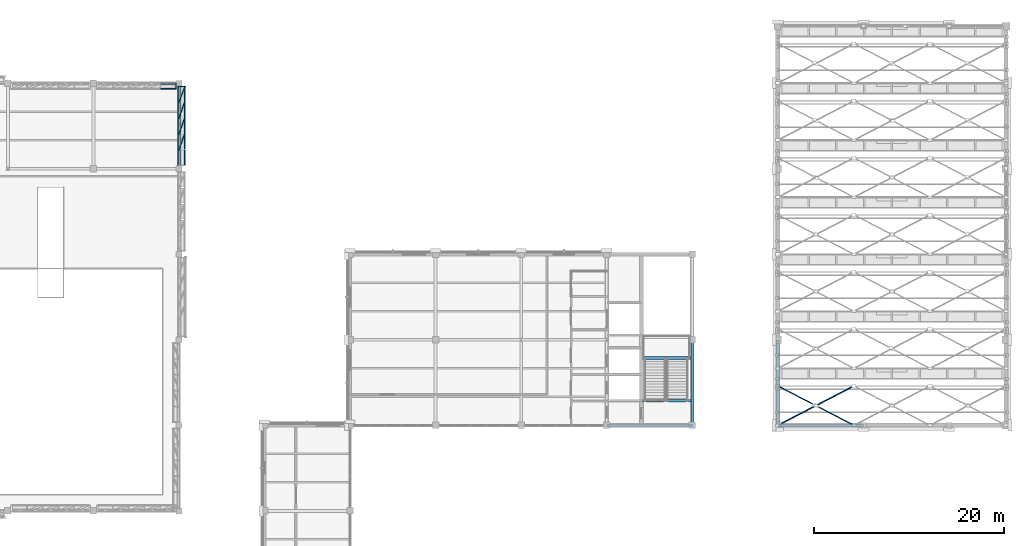
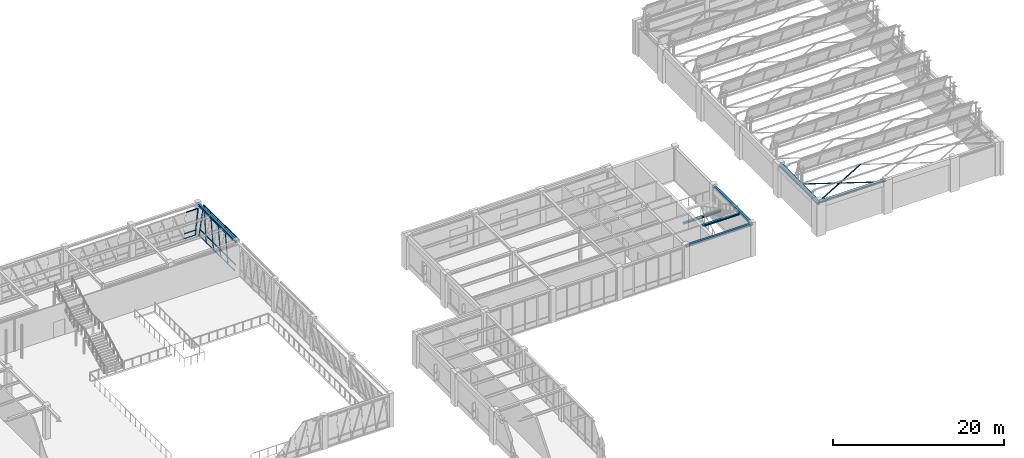
# One storey, part 49 of 98: 27 members, 7 beams, 2 elements without a shape of their own.
"""IFC4 building model written with IfcOpenShell, lengths in metres."""

from ifc_helpers import new_model, si_unit, direction, frame, origin, origin_2d, place, context, subcontext, project, spatial, hollow_rectangle, hollow_circle, i_section, extrude, material, material_profile, profile_set, type_object, element, aggregate, save


model = new_model("IFC4")

# Units and contexts
model_context = context("Model", 3, precision=1e-05, world=origin(), true_north=direction((0.0, 1.0)))
body_context = subcontext(model_context, "Body", "Model", "MODEL_VIEW")
ifc_project = project(units=[si_unit("LENGTHUNIT", "METRE"), si_unit("AREAUNIT", "SQUARE_METRE"), si_unit("VOLUMEUNIT", "CUBIC_METRE"), si_unit("PLANEANGLEUNIT", "RADIAN"), si_unit("MASSUNIT", "GRAM", prefix="KILO")], contexts=[model_context])

# Site, building, storey
site_placement = place(None, origin())
site = spatial("IfcSite", under=ifc_project, at=site_placement, CompositionType="ELEMENT")
building_placement = place(site_placement, origin())
building = spatial("IfcBuilding", under=site, at=building_placement, Name="Lykobir Media Centre", CompositionType="ELEMENT")
storey_placement = place(building_placement, frame((0.0, 0.0, 10.199951171875)))
storey = spatial("IfcBuildingStorey", under=building, at=storey_placement, Name="L02", CompositionType="ELEMENT", Elevation=10.199951171875)

# Beams
ifc_material_1 = material(Name="Steel S355", Category="steel")
ifc_material_profile_1 = material_profile(ifc_material_1, i_section(OverallWidth=0.300048828125, OverallDepth=0.330078125, WebThickness=0.009521484375, FlangeThickness=0.0166015625, at=origin_2d()), Name="HEA 340")
ifc_profile_set_1 = profile_set([ifc_material_profile_1], Name="Steel S355")
beam_type_1 = type_object("IfcBeamType", Name="BM-HEA340", PredefinedType="BEAM", material=ifc_profile_set_1)
beam_1_placement = place(storey_placement, frame((135.0, 72.0, 4.39501953125), z_axis=(0.0, 1.0, 0.0), x_axis=(-1.0, 0.0, 0.0)))
element("IfcBeam", 1, at=beam_1_placement, inside=storey, type_object=beam_type_1, Name="Beam BM-L02-1350-0720-1350-0810-1460", PredefinedType="BEAM", context=body_context, shape_type="SweptSolid", body=[
    extrude(i_section(OverallWidth=0.300048828125, OverallDepth=0.330078125, WebThickness=0.009521484375, FlangeThickness=0.0166015625, at=origin_2d()), origin(), (0.0, 0.0, 1.0), 9.0),
])
ifc_material_profile_2 = material_profile(ifc_material_1, i_section(OverallWidth=0.300048828125, OverallDepth=0.550048828125, WebThickness=0.014892578125, FlangeThickness=0.029052734375, at=origin_2d()), Name="HEB 550")
ifc_profile_set_2 = profile_set([ifc_material_profile_2], Name="Steel S355")
beam_type_2 = type_object("IfcBeamType", Name="BM-HEB550", PredefinedType="BEAM", material=ifc_profile_set_2)
beam_2_placement = place(storey_placement, frame((144.0, 72.0, 4.275146484375), z_axis=(0.0, 1.0, 0.0), x_axis=(-1.0, 0.0, 0.0)))
element("IfcBeam", 2, at=beam_2_placement, inside=storey, type_object=beam_type_2, Name="Beam BM-L02-1440-0720-1440-0810-1448", PredefinedType="BEAM", context=body_context, shape_type="SweptSolid", body=[
    extrude(i_section(OverallWidth=0.300048828125, OverallDepth=0.550048828125, WebThickness=0.014892578125, FlangeThickness=0.029052734375, at=origin_2d()), origin(), (0.0, 0.0, 1.0), 9.0),
])
ifc_material_profile_3 = material_profile(ifc_material_1, i_section(OverallWidth=0.280029296875, OverallDepth=0.27001953125, WebThickness=0.008056640625, FlangeThickness=0.012939453125, at=origin_2d()), Name="HEA 280")
ifc_profile_set_3 = profile_set([ifc_material_profile_3], Name="Steel S355")
beam_type_3 = type_object("IfcBeamType", Name="BM-ST280", PredefinedType="BEAM", material=ifc_profile_set_3)
for number, where, z_axis, x_axis, name in (
    (3, (129.72998046875, 74.580078125, 4.425048828125), (1.0, 0.0, 0.0), (0.0, 1.0, 0.0), "ST-4 L02 arrival trimmer beam"),
    (4, (129.72998046875, 79.080078125, 2.070068359375), (1.0, 0.0, 0.0), (0.0, 1.0, 0.0), "ST-4 L02 mid-landing trimmer beam"),
):
    element("IfcBeam", number, at=place(storey_placement, frame(where, z_axis=z_axis, x_axis=x_axis)), inside=storey, type_object=beam_type_3, Name=name, PredefinedType="BEAM", context=body_context, shape_type="SweptSolid", body=[
        extrude(i_section(OverallWidth=0.280029296875, OverallDepth=0.27001953125, WebThickness=0.008056640625, FlangeThickness=0.012939453125, at=origin_2d()), origin(), (0.0, 0.0, 1.0), 5.14013671875),
    ])

# Members
ifc_material_profile_4 = material_profile(ifc_material_1, hollow_circle(Radius=0.06982421875, WallThickness=0.008056640625, at=origin_2d()), Name="CHS 139.7x8.0")
ifc_profile_set_4 = profile_set([ifc_material_profile_4], Name="Steel S355")
member_type_1 = type_object("IfcMemberType", Name="BR-CHS140", PredefinedType="BRACE", material=ifc_profile_set_4)
member_1_placement = place(storey_placement, frame((152.0, 72.0, 4.43994140625), z_axis=(-0.887879780504, 0.460075532247, 0.0), x_axis=(-0.460075532247, -0.887879780504, 0.0)))
element("IfcMember", 5, at=member_1_placement, inside=storey, type_object=member_type_1, Name="Diagonal brace MEM2-L02-1520-0720-0146-1481-0740-0289", PredefinedType="BRACE", context=body_context, shape_type="SweptSolid", body=[
    extrude(hollow_circle(Radius=0.06982421875, WallThickness=0.008056640625, at=origin_2d()), origin(), (0.0, 0.0, 1.0), 4.365234375),
])
member_2_placement = place(storey_placement, frame((147.875732421875, 74.136962890625, 4.43994140625), z_axis=(-0.88790262671, 0.460031439666, 0.0), x_axis=(-0.460031439666, -0.88790262671, 0.0)))
element("IfcMember", 6, at=member_2_placement, inside=storey, type_object=member_type_1, Name="Diagonal brace MEM2-L02-1479-0741-0146-1440-0761-0290", PredefinedType="BRACE", context=body_context, shape_type="SweptSolid", body=[
    extrude(hollow_circle(Radius=0.06982421875, WallThickness=0.008056640625, at=origin_2d()), origin(), (0.0, 0.0, 1.0), 4.364990234375),
])
ifc_material_profile_5 = material_profile(ifc_material_1, hollow_circle(Radius=0.084228515625, WallThickness=0.010009765625, at=origin_2d()), Name="CHS 168.3x10.0")
ifc_profile_set_5 = profile_set([ifc_material_profile_5], Name="Steel S355")
member_type_2 = type_object("IfcMemberType", Name="BR-CHS168", PredefinedType="BRACE", material=ifc_profile_set_5)
member_3_placement = place(storey_placement, frame((144.0, 72.0, 4.43994140625), z_axis=(0.887896386773, 0.460043483113, 0.0), x_axis=(-0.460043483113, 0.887896386773, 0.0)))
element("IfcMember", 7, at=member_3_placement, inside=storey, type_object=member_type_2, Name="Diagonal brace MEM2-L02-1440-0720-0146-1520-0761-0288", PredefinedType="BRACE", context=body_context, shape_type="SweptSolid", body=[
    extrude(hollow_circle(Radius=0.084228515625, WallThickness=0.010009765625, at=origin_2d()), origin(), (0.0, 0.0, 1.0), 9.010009765625),
])

# Curtain wall, members
ifc_material_2 = material(Name="Anodized Aluminium AW-6060", Category="aluminium")
curtain_wall_type = type_object("IfcCurtainWallType", Name="CW-V6-CR2", PredefinedType="NOTDEFINED", material=ifc_material_2)
curtain_wall_1_placement = place(storey_placement, origin())
curtain_wall_1 = element("IfcCurtainWall", 8, at=curtain_wall_1_placement, inside=storey, type_object=curtain_wall_type, Name="Curtain wall CW2-L02-0091", PredefinedType="NOTDEFINED")
ifc_material_profile_6 = material_profile(ifc_material_2, hollow_rectangle(XDim=0.074951171875, YDim=0.179931640625, WallThickness=0.00390625, at=origin_2d()), Name="ALU MULLION 75x180")
ifc_profile_set_6 = profile_set([ifc_material_profile_6], Name="Anodized Aluminium AW-6060")
member_type_3 = type_object("IfcMemberType", Name="CWM-180", PredefinedType="MULLION", material=ifc_profile_set_6)
member_4_placement = place(storey_placement, frame((81.0, 100.98291015625, 0.0), z_axis=(0.132256811749, 0.374604193598, 0.917703565365), x_axis=(0.942955909979, -0.332917635214, 0.0)))
member_4 = element("IfcMember", 9, at=member_4_placement, type_object=member_type_3, Name="CW2-L02-0091 mullion 2", PredefinedType="MULLION", context=body_context, shape_type="SweptSolid", body=[
    extrude(hollow_rectangle(XDim=0.074951171875, YDim=0.179931640625, WallThickness=0.00390625, at=origin_2d()), origin(), (0.0, 0.0, 1.0), 4.614990234375),
])
member_5_placement = place(storey_placement, frame((81.0, 102.660888671875, 0.0), z_axis=(0.132256811749, 0.374604193598, 0.917703565365), x_axis=(0.942955909979, -0.332917635214, 0.0)))
member_5 = element("IfcMember", 10, at=member_5_placement, type_object=member_type_3, Name="CW2-L02-0091 mullion 3", PredefinedType="MULLION", context=body_context, shape_type="SweptSolid", body=[
    extrude(hollow_rectangle(XDim=0.074951171875, YDim=0.179931640625, WallThickness=0.00390625, at=origin_2d()), origin(), (0.0, 0.0, 1.0), 4.614990234375),
])
member_6_placement = place(storey_placement, frame((81.0, 104.339111328125, 0.0), z_axis=(0.132259432652, 0.374558713271, 0.917721751288), x_axis=(0.942941147741, -0.332959444824, 0.0)))
member_6 = element("IfcMember", 11, at=member_6_placement, type_object=member_type_3, Name="CW2-L02-0091 mullion 4", PredefinedType="MULLION", context=body_context, shape_type="SweptSolid", body=[
    extrude(hollow_rectangle(XDim=0.074951171875, YDim=0.179931640625, WallThickness=0.00390625, at=origin_2d()), origin(), (0.0, 0.0, 1.0), 4.61474609375),
])
member_7_placement = place(storey_placement, frame((81.0, 106.01708984375, 0.0), z_axis=(0.133959771606, 0.343580022215, 0.929520063219), x_axis=(0.931687998403, -0.36325951279, 0.0)))
member_7 = element("IfcMember", 12, at=member_7_placement, type_object=member_type_3, Name="CW2-L02-0091 mullion 5", PredefinedType="MULLION", context=body_context, shape_type="SweptSolid", body=[
    extrude(hollow_rectangle(XDim=0.074951171875, YDim=0.179931640625, WallThickness=0.00390625, at=origin_2d()), origin(), (0.0, 0.0, 1.0), 4.55615234375),
])
member_8_placement = place(storey_placement, frame((81.0, 107.657470703125, 0.0), z_axis=(0.142643417261, 0.0, 0.989774143687), x_axis=(0.0, -1.0, 0.0)))
member_8 = element("IfcMember", 13, at=member_8_placement, type_object=member_type_3, Name="CW2-L02-0091 mullion 6", PredefinedType="MULLION", context=body_context, shape_type="SweptSolid", body=[
    extrude(hollow_rectangle(XDim=0.074951171875, YDim=0.179931640625, WallThickness=0.00390625, at=origin_2d()), origin(), (0.0, 0.0, 1.0), 4.27880859375),
])

# Curtain wall, member
curtain_wall_2_placement = place(storey_placement, origin())
curtain_wall_2 = element("IfcCurtainWall", 14, at=curtain_wall_2_placement, inside=storey, type_object=curtain_wall_type, Name="Curtain wall CW2-L02-0096", PredefinedType="NOTDEFINED")
member_9_placement = place(storey_placement, frame((80.657470703125, 108.0, 0.0), z_axis=(0.0, -0.142643417261, 0.989774143687), x_axis=(0.0, 0.989774143687, 0.142643417261)))
member_9 = element("IfcMember", 15, at=member_9_placement, type_object=member_type_3, Name="CW2-L02-0096 mullion 6", PredefinedType="MULLION", context=body_context, shape_type="SweptSolid", body=[
    extrude(hollow_rectangle(XDim=0.074951171875, YDim=0.179931640625, WallThickness=0.00390625, at=origin_2d()), origin(), (0.0, 0.0, 1.0), 4.27880859375),
])

# Member
ifc_material_profile_7 = material_profile(ifc_material_2, hollow_rectangle(XDim=0.074951171875, YDim=0.14990234375, WallThickness=0.00341796875, at=origin_2d()), Name="ALU TRANSOM 75x150")
ifc_profile_set_7 = profile_set([ifc_material_profile_7], Name="Anodized Aluminium AW-6060")
member_type_4 = type_object("IfcMemberType", Name="CWT-150", PredefinedType="USERDEFINED", material=ifc_profile_set_7)
member_10_placement = place(storey_placement, frame((81.00537109375, 99.3798828125, 0.037109375), z_axis=(0.0, 1.0, 0.0), x_axis=(-0.989776230908, 0.0, 0.142628933706)))
member_10 = element("IfcMember", 16, at=member_10_placement, type_object=member_type_4, Name="CW2-L02-0091 transom 1.1", ObjectType="TRANSOM", PredefinedType="USERDEFINED", context=body_context, shape_type="SweptSolid", body=[
    extrude(hollow_rectangle(XDim=0.074951171875, YDim=0.14990234375, WallThickness=0.00341796875, at=origin_2d()), origin(), (0.0, 0.0, 1.0), 1.565673828125),
])

member_11_placement = place(storey_placement, frame((81.12109375, 99.3798828125, 0.84130859375), z_axis=(0.0, 1.0, 0.0), x_axis=(-0.989776230908, 0.0, 0.142628933706)))
member_11 = element("IfcMember", 17, at=member_11_placement, type_object=member_type_4, Name="CW2-L02-0091 transom 1.2", ObjectType="TRANSOM", PredefinedType="USERDEFINED", context=body_context, shape_type="SweptSolid", body=[
    extrude(hollow_rectangle(XDim=0.074951171875, YDim=0.14990234375, WallThickness=0.00341796875, at=origin_2d()), origin(), (0.0, 0.0, 1.0), 1.565673828125),
])

member_12_placement = place(storey_placement, frame((81.60498046875, 99.3798828125, 4.19775390625), z_axis=(0.0, 1.0, 0.0), x_axis=(-0.989776230908, 0.0, 0.142628933706)))
member_12 = element("IfcMember", 18, at=member_12_placement, type_object=member_type_4, Name="CW2-L02-0091 transom 1.3", ObjectType="TRANSOM", PredefinedType="USERDEFINED", context=body_context, shape_type="SweptSolid", body=[
    extrude(hollow_rectangle(XDim=0.074951171875, YDim=0.14990234375, WallThickness=0.00341796875, at=origin_2d()), origin(), (0.0, 0.0, 1.0), 1.565673828125),
])

member_13_placement = place(storey_placement, frame((81.00537109375, 101.0205078125, 0.037109375), z_axis=(0.0, 1.0, 0.0), x_axis=(-0.989776230908, 0.0, 0.142628933706)))
member_13 = element("IfcMember", 19, at=member_13_placement, type_object=member_type_4, Name="CW2-L02-0091 transom 2.1", ObjectType="TRANSOM", PredefinedType="USERDEFINED", context=body_context, shape_type="SweptSolid", body=[
    extrude(hollow_rectangle(XDim=0.074951171875, YDim=0.14990234375, WallThickness=0.00341796875, at=origin_2d()), origin(), (0.0, 0.0, 1.0), 1.60302734375),
])

member_14_placement = place(storey_placement, frame((81.12109375, 101.0205078125, 0.84130859375), z_axis=(0.0, 1.0, 0.0), x_axis=(-0.989776230908, 0.0, 0.142628933706)))
member_14 = element("IfcMember", 20, at=member_14_placement, type_object=member_type_4, Name="CW2-L02-0091 transom 2.2", ObjectType="TRANSOM", PredefinedType="USERDEFINED", context=body_context, shape_type="SweptSolid", body=[
    extrude(hollow_rectangle(XDim=0.074951171875, YDim=0.14990234375, WallThickness=0.00341796875, at=origin_2d()), origin(), (0.0, 0.0, 1.0), 1.60302734375),
])

member_15_placement = place(storey_placement, frame((81.60498046875, 101.0205078125, 4.19775390625), z_axis=(0.0, 1.0, 0.0), x_axis=(-0.989776230908, 0.0, 0.142628933706)))
member_15 = element("IfcMember", 21, at=member_15_placement, type_object=member_type_4, Name="CW2-L02-0091 transom 2.3", ObjectType="TRANSOM", PredefinedType="USERDEFINED", context=body_context, shape_type="SweptSolid", body=[
    extrude(hollow_rectangle(XDim=0.074951171875, YDim=0.14990234375, WallThickness=0.00341796875, at=origin_2d()), origin(), (0.0, 0.0, 1.0), 1.60302734375),
])

member_16_placement = place(storey_placement, frame((81.00537109375, 102.698486328125, 0.037109375), z_axis=(0.0, 1.0, 0.0), x_axis=(-0.989776230908, 0.0, 0.142628933706)))
member_16 = element("IfcMember", 22, at=member_16_placement, type_object=member_type_4, Name="CW2-L02-0091 transom 3.1", ObjectType="TRANSOM", PredefinedType="USERDEFINED", context=body_context, shape_type="SweptSolid", body=[
    extrude(hollow_rectangle(XDim=0.074951171875, YDim=0.14990234375, WallThickness=0.00341796875, at=origin_2d()), origin(), (0.0, 0.0, 1.0), 1.60302734375),
])

member_17_placement = place(storey_placement, frame((81.12109375, 102.698486328125, 0.84130859375), z_axis=(0.0, 1.0, 0.0), x_axis=(-0.989776230908, 0.0, 0.142628933706)))
member_17 = element("IfcMember", 23, at=member_17_placement, type_object=member_type_4, Name="CW2-L02-0091 transom 3.2", ObjectType="TRANSOM", PredefinedType="USERDEFINED", context=body_context, shape_type="SweptSolid", body=[
    extrude(hollow_rectangle(XDim=0.074951171875, YDim=0.14990234375, WallThickness=0.00341796875, at=origin_2d()), origin(), (0.0, 0.0, 1.0), 1.60302734375),
])

member_18_placement = place(storey_placement, frame((81.60498046875, 102.698486328125, 4.19775390625), z_axis=(0.0, 1.0, 0.0), x_axis=(-0.989776230908, 0.0, 0.142628933706)))
member_18 = element("IfcMember", 24, at=member_18_placement, type_object=member_type_4, Name="CW2-L02-0091 transom 3.3", ObjectType="TRANSOM", PredefinedType="USERDEFINED", context=body_context, shape_type="SweptSolid", body=[
    extrude(hollow_rectangle(XDim=0.074951171875, YDim=0.14990234375, WallThickness=0.00341796875, at=origin_2d()), origin(), (0.0, 0.0, 1.0), 1.60302734375),
])

member_19_placement = place(storey_placement, frame((81.00537109375, 104.37646484375, 0.037109375), z_axis=(0.0, 1.0, 0.0), x_axis=(-0.989776230908, 0.0, 0.142628933706)))
member_19 = element("IfcMember", 25, at=member_19_placement, type_object=member_type_4, Name="CW2-L02-0091 transom 4.1", ObjectType="TRANSOM", PredefinedType="USERDEFINED", context=body_context, shape_type="SweptSolid", body=[
    extrude(hollow_rectangle(XDim=0.074951171875, YDim=0.14990234375, WallThickness=0.00341796875, at=origin_2d()), origin(), (0.0, 0.0, 1.0), 1.60302734375),
])

member_20_placement = place(storey_placement, frame((81.12109375, 104.37646484375, 0.84130859375), z_axis=(0.0, 1.0, 0.0), x_axis=(-0.989776230908, 0.0, 0.142628933706)))
member_20 = element("IfcMember", 26, at=member_20_placement, type_object=member_type_4, Name="CW2-L02-0091 transom 4.2", ObjectType="TRANSOM", PredefinedType="USERDEFINED", context=body_context, shape_type="SweptSolid", body=[
    extrude(hollow_rectangle(XDim=0.074951171875, YDim=0.14990234375, WallThickness=0.00341796875, at=origin_2d()), origin(), (0.0, 0.0, 1.0), 1.60302734375),
])

member_21_placement = place(storey_placement, frame((81.60498046875, 104.37646484375, 4.19775390625), z_axis=(0.0, 1.0, 0.0), x_axis=(-0.989776230908, 0.0, 0.142628933706)))
member_21 = element("IfcMember", 27, at=member_21_placement, type_object=member_type_4, Name="CW2-L02-0091 transom 4.3", ObjectType="TRANSOM", PredefinedType="USERDEFINED", context=body_context, shape_type="SweptSolid", body=[
    extrude(hollow_rectangle(XDim=0.074951171875, YDim=0.14990234375, WallThickness=0.00341796875, at=origin_2d()), origin(), (0.0, 0.0, 1.0), 1.60302734375),
])

member_22_placement = place(storey_placement, frame((81.00537109375, 106.054443359375, 0.037109375), z_axis=(0.0, 1.0, 0.0), x_axis=(-0.989776230908, 0.0, 0.142628933706)))
member_22 = element("IfcMember", 28, at=member_22_placement, type_object=member_type_4, Name="CW2-L02-0091 transom 5.1", ObjectType="TRANSOM", PredefinedType="USERDEFINED", context=body_context, shape_type="SweptSolid", body=[
    extrude(hollow_rectangle(XDim=0.074951171875, YDim=0.14990234375, WallThickness=0.00341796875, at=origin_2d()), origin(), (0.0, 0.0, 1.0), 1.565673828125),
])

member_23_placement = place(storey_placement, frame((81.12109375, 106.054443359375, 0.84130859375), z_axis=(0.0, 1.0, 0.0), x_axis=(-0.989776230908, 0.0, 0.142628933706)))
member_23 = element("IfcMember", 29, at=member_23_placement, type_object=member_type_4, Name="CW2-L02-0091 transom 5.2", ObjectType="TRANSOM", PredefinedType="USERDEFINED", context=body_context, shape_type="SweptSolid", body=[
    extrude(hollow_rectangle(XDim=0.074951171875, YDim=0.14990234375, WallThickness=0.00341796875, at=origin_2d()), origin(), (0.0, 0.0, 1.0), 1.565673828125),
])

member_24_placement = place(storey_placement, frame((81.60498046875, 106.054443359375, 4.19775390625), z_axis=(0.0, 1.0, 0.0), x_axis=(-0.989776230908, 0.0, 0.142628933706)))
member_24 = element("IfcMember", 30, at=member_24_placement, type_object=member_type_4, Name="CW2-L02-0091 transom 5.3", ObjectType="TRANSOM", PredefinedType="USERDEFINED", context=body_context, shape_type="SweptSolid", body=[
    extrude(hollow_rectangle(XDim=0.074951171875, YDim=0.14990234375, WallThickness=0.00341796875, at=origin_2d()), origin(), (0.0, 0.0, 1.0), 1.565673828125),
])

aggregate(curtain_wall_1, [member_4, member_5, member_6, member_7, member_8, member_10, member_11, member_12, member_13, member_14, member_15, member_16, member_17, member_18, member_19, member_20, member_21, member_22, member_23, member_24])

member_25_placement = place(storey_placement, frame((79.064453125, 107.99462890625, 0.037109375), z_axis=(1.0, 0.0, 0.0), x_axis=(0.0, 0.989776230908, 0.142628933706)))
member_25 = element("IfcMember", 31, at=member_25_placement, type_object=member_type_4, Name="CW2-L02-0096 transom 5.1", ObjectType="TRANSOM", PredefinedType="USERDEFINED", context=body_context, shape_type="SweptSolid", body=[
    extrude(hollow_rectangle(XDim=0.074951171875, YDim=0.14990234375, WallThickness=0.00341796875, at=origin_2d()), origin(), (0.0, 0.0, 1.0), 1.5556640625),
])

member_26_placement = place(storey_placement, frame((79.064453125, 107.87890625, 0.84130859375), z_axis=(1.0, 0.0, 0.0), x_axis=(0.0, 0.989776230908, 0.142628933706)))
member_26 = element("IfcMember", 32, at=member_26_placement, type_object=member_type_4, Name="CW2-L02-0096 transom 5.2", ObjectType="TRANSOM", PredefinedType="USERDEFINED", context=body_context, shape_type="SweptSolid", body=[
    extrude(hollow_rectangle(XDim=0.074951171875, YDim=0.14990234375, WallThickness=0.00341796875, at=origin_2d()), origin(), (0.0, 0.0, 1.0), 1.5556640625),
])

member_27_placement = place(storey_placement, frame((79.064453125, 107.39501953125, 4.19775390625), z_axis=(1.0, 0.0, 0.0), x_axis=(0.0, 0.989776230908, 0.142628933706)))
member_27 = element("IfcMember", 33, at=member_27_placement, type_object=member_type_4, Name="CW2-L02-0096 transom 5.3", ObjectType="TRANSOM", PredefinedType="USERDEFINED", context=body_context, shape_type="SweptSolid", body=[
    extrude(hollow_rectangle(XDim=0.074951171875, YDim=0.14990234375, WallThickness=0.00341796875, at=origin_2d()), origin(), (0.0, 0.0, 1.0), 1.5556640625),
])

aggregate(curtain_wall_2, [member_9, member_25, member_26, member_27])

# Beams
ifc_material_profile_8 = material_profile(ifc_material_1, i_section(OverallWidth=0.300048828125, OverallDepth=0.31005859375, WebThickness=0.009033203125, FlangeThickness=0.015380859375, at=origin_2d()), Name="HEA 320")
ifc_profile_set_8 = profile_set([ifc_material_profile_8], Name="Steel S355")
beam_type_4 = type_object("IfcBeamType", Name="SP-HEA320", PredefinedType="SPANDREL", material=ifc_profile_set_8)
for number, where, z_axis, x_axis, name in (
    (34, (126.0, 72.0, 4.405029296875), (1.0, 0.0, 0.0), (0.0, 1.0, 0.0), "Beam BM-L02-1260-0720-1350-0720-1460"),
    (35, (144.0, 72.0, 4.39501953125), (1.0, 0.0, 0.0), (0.0, 1.0, 0.0), "Beam BM-L02-1440-0720-1530-0720-1460"),
):
    element("IfcBeam", number, at=place(storey_placement, frame(where, z_axis=z_axis, x_axis=x_axis)), inside=storey, type_object=beam_type_4, Name=name, PredefinedType="SPANDREL", context=body_context, shape_type="SweptSolid", body=[
        extrude(i_section(OverallWidth=0.300048828125, OverallDepth=0.31005859375, WebThickness=0.009033203125, FlangeThickness=0.015380859375, at=origin_2d()), origin(), (0.0, 0.0, 1.0), 9.0),
    ])
ifc_material_profile_9 = material_profile(ifc_material_1, i_section(OverallWidth=0.300048828125, OverallDepth=0.31005859375, WebThickness=0.009033203125, FlangeThickness=0.015380859375, at=origin_2d()), Name="HEA 320")
ifc_profile_set_9 = profile_set([ifc_material_profile_9], Name="Steel S355")
beam_type_5 = type_object("IfcBeamType", Name="SP-HEA320-E", PredefinedType="SPANDREL", material=ifc_profile_set_9)
beam_3_placement = place(storey_placement, frame((81.0, 99.0, 4.405029296875), z_axis=(0.0, 1.0, 0.0), x_axis=(-1.0, 0.0, 0.0)))
element("IfcBeam", 36, at=beam_3_placement, inside=storey, type_object=beam_type_5, Name="Beam BM-L02-0810-0990-0810-1080-1460", PredefinedType="SPANDREL", context=body_context, shape_type="SweptSolid", body=[
    extrude(i_section(OverallWidth=0.300048828125, OverallDepth=0.31005859375, WebThickness=0.009033203125, FlangeThickness=0.015380859375, at=origin_2d()), origin(), (0.0, 0.0, 1.0), 9.0),
])

save(model, "model.ifc")
